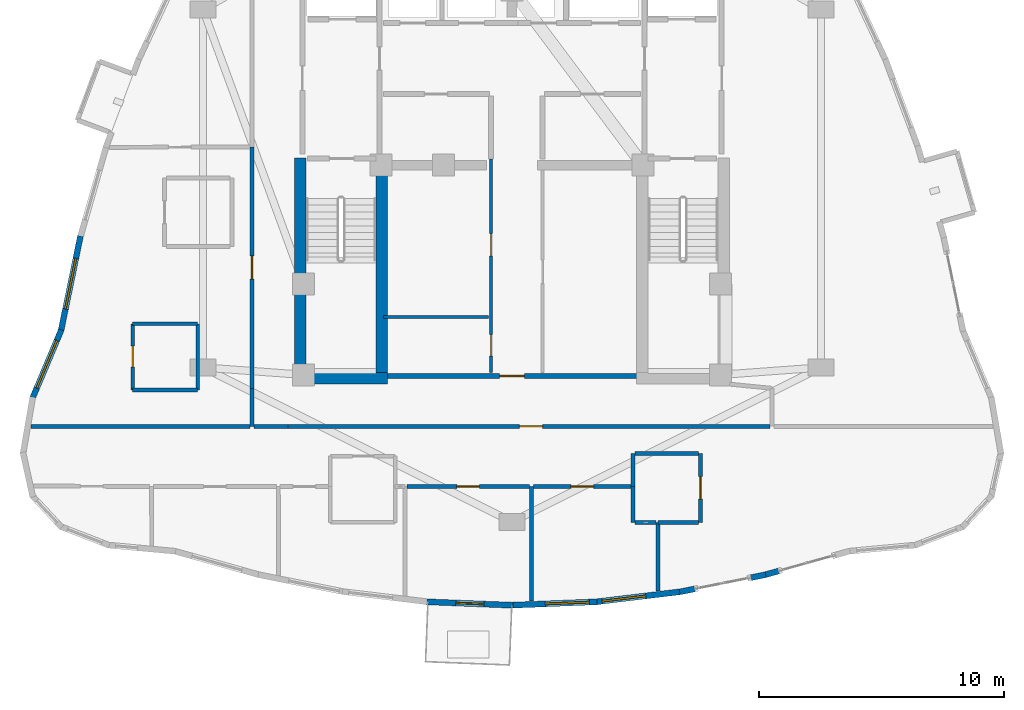
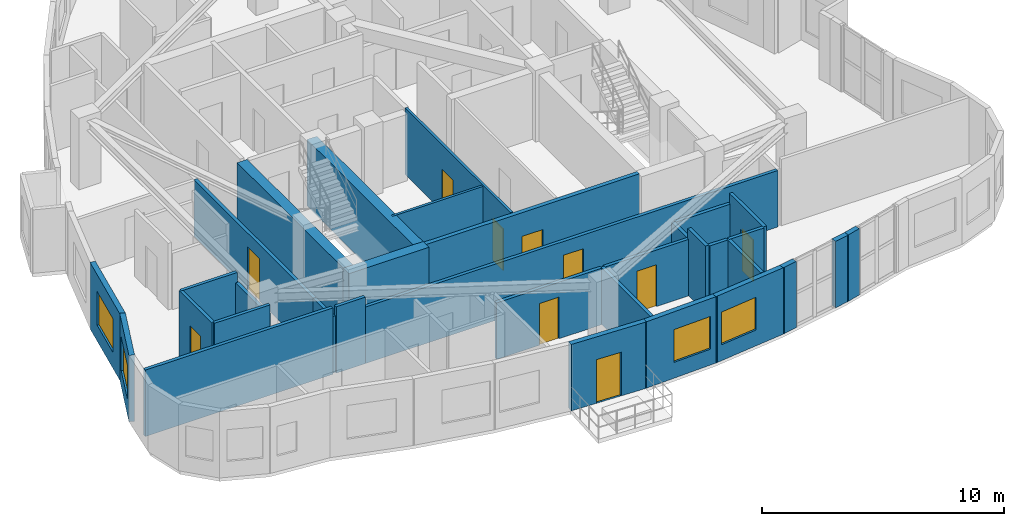
# One storey, part 10 of 15: 33 walls, 10 doors, 4 windows, 14 openings.
"""IFC4 building model written with IfcOpenShell, lengths in metres."""

from ifc_helpers import new_model, si_unit, direction, frame, frame_2d, origin, place, context, subcontext, project, spatial, rectangle, extrude, material, layer, layer_set, type_object, element, fill, save


model = new_model("IFC4")

# Units and contexts
model_context = context("Model", 3, precision=1e-05, world=origin(), true_north=direction((0.0, 1.0)))
body_context = subcontext(model_context, "Body", "Model", "MODEL_VIEW")
ifc_project = project(units=[si_unit("LENGTHUNIT", "METRE"), si_unit("AREAUNIT", "SQUARE_METRE"), si_unit("VOLUMEUNIT", "CUBIC_METRE"), si_unit("PLANEANGLEUNIT", "RADIAN"), si_unit("MASSUNIT", "GRAM", prefix="KILO")], contexts=[model_context])

# Site, building, storey
site_placement = place(None, origin())
site = spatial("IfcSite", under=ifc_project, at=site_placement, CompositionType="ELEMENT")
building_placement = place(site_placement, origin())
building = spatial("IfcBuilding", under=site, at=building_placement, Name="Miruveldt Soraemaru", CompositionType="ELEMENT")
storey_placement = place(building_placement, frame((0.0, 0.0, 234.0)))
storey = spatial("IfcBuildingStorey", under=building, at=storey_placement, Name="L64", CompositionType="ELEMENT", Elevation=234.0)

# Walls
ifc_material_1 = material(Name="Concrete C60/75 (60 MPa)", Category="concrete")
ifc_layer_1 = layer(ifc_material_1, 0.47998046875, Name="Concrete C60/75 (60 MPa)", Category="concrete")
ifc_layer_set_1 = layer_set([ifc_layer_1], Name="Concrete C60/75 (60 MPa)")
wall_type_1 = type_object("IfcWallType", Name="WALL-CW-480", PredefinedType="SHEAR", material=ifc_layer_set_1)
wall_1_placement = place(storey_placement, frame((35.1201171875, 35.360107421875, 0.0), z_axis=(0.0, 0.0, 1.0), x_axis=(1.0, 0.0, 0.0)))
element("IfcWall", 1, at=wall_1_placement, inside=storey, type_object=wall_type_1, Name="L64 Central Core Shear Wall S1", PredefinedType="SHEAR", context=body_context, shape_type="SweptSolid", body=[
    extrude(rectangle(XDim=3.809814453125, YDim=0.47998046875, at=frame_2d((1.90478515625, 0.0))), origin(), (0.0, 0.0, 1.0), 3.344970703125),
])
wall_2_placement = place(storey_placement, frame((35.360107421875, 35.1201171875, 0.0), z_axis=(0.0, 0.0, 1.0), x_axis=(0.0, 1.0, 0.0)))
element("IfcWall", 2, at=wall_2_placement, inside=storey, type_object=wall_type_1, Name="L64 Central Core Shear Wall W1", PredefinedType="SHEAR", context=body_context, shape_type="SweptSolid", body=[
    extrude(rectangle(XDim=9.22998046875, YDim=0.47998046875, at=frame_2d((4.614990234375, 0.0))), origin(), (0.0, 0.0, 1.0), 3.344970703125),
])
wall_3_placement = place(storey_placement, frame((38.68994140625, 35.39990234375, 0.0), z_axis=(0.0, 0.0, 1.0), x_axis=(0.0, 1.0, 0.0)))
element("IfcWall", 3, at=wall_3_placement, inside=storey, type_object=wall_type_1, Name="L64 Central Core Shear Wall SW-INT", PredefinedType="SHEAR", context=body_context, shape_type="SweptSolid", body=[
    extrude(rectangle(XDim=8.9501953125, YDim=0.47998046875, at=frame_2d((4.47509765625, 0.0))), origin(), (0.0, 0.0, 1.0), 3.344970703125),
])

# Wall, opening, window
ifc_material_2 = material(Name="Precast concrete C45/55 (45 MPa)", Category="concrete")
ifc_layer_2 = layer(ifc_material_2, 0.239990234375, Name="Precast concrete C45/55 (45 MPa)", Category="concrete")
ifc_layer_set_2 = layer_set([ifc_layer_2], Name="Precast concrete C45/55 (45 MPa)")
wall_type_2 = type_object("IfcWallType", Name="WALL-EXT-PC240", PredefinedType="SOLIDWALL", material=ifc_layer_set_2)
wall_4_placement = place(storey_placement, frame((26.39794921875, 41.1591796875, 0.0), z_axis=(0.0, 0.0, 1.0), x_axis=(-0.201593868006, -0.979469199302, 0.0)))
wall_4 = element("IfcWall", 4, at=wall_4_placement, inside=storey, type_object=wall_type_2, Name="L64 Precast Concrete Facade Wall 14", PredefinedType="SOLIDWALL", context=body_context, shape_type="SweptSolid", body=[
    extrude(rectangle(XDim=3.96630859375, YDim=0.239990234375, at=frame_2d((1.983154296875, 0.0))), origin(), (0.0, 0.0, 1.0), 3.344970703125),
])
opening_1_placement = place(wall_4_placement, frame((0.93310546875, 0.0, 0.800048828125)))
opening_1 = element("IfcOpeningElement", 5, at=opening_1_placement, cuts=wall_4, Name="Opening WN-1", PredefinedType="OPENING", context=body_context, shape_type="SweptSolid", body=[
    extrude(rectangle(XDim=2.10009765625, YDim=1.699951171875, at=frame_2d((1.050048828125, 0.85009765625))), frame((0.0, 0.1298828125, 0.0), z_axis=(0.0, -1.0, 0.0), x_axis=(1.0, 0.0, 0.0)), (0.0, 0.0, 1.0), 0.260009765625),
])
ifc_material_3 = material(Name="Triple low-e insulated glazing", Category="glass")
window_type_1 = type_object("IfcWindowType", Name="WIN-PUNCH-2100x1700", PartitioningType="SINGLE_PANEL", PredefinedType="WINDOW", material=ifc_material_3)
window_1_placement = place(opening_1_placement, origin())
window_1 = element("IfcWindow", 6, at=window_1_placement, inside=storey, type_object=window_type_1, Name="L64 Punched Triple-Glazed Window 14.1", OverallHeight=1.699951171875, OverallWidth=2.10009765625, PartitioningType="SINGLE_PANEL", PredefinedType="WINDOW", context=body_context, shape_type="SweptSolid", body=[
    extrude(rectangle(XDim=2.10009765625, YDim=1.699951171875, at=frame_2d((1.050048828125, 0.85009765625))), frame((0.0, 0.030029296875, 0.0), z_axis=(0.0, -1.0, 0.0), x_axis=(1.0, 0.0, 0.0)), (0.0, 0.0, 1.0), 0.06005859375),
])
fill(opening_1, window_1)

wall_5_placement = place(storey_placement, frame((25.619140625, 37.3408203125, 0.0), z_axis=(0.0, 0.0, 1.0), x_axis=(-0.388639047132, -0.921390086253, 0.0)))
wall_5 = element("IfcWall", 7, at=wall_5_placement, inside=storey, type_object=wall_type_2, Name="L64 Precast Concrete Facade Wall 15", PredefinedType="SOLIDWALL", context=body_context, shape_type="SweptSolid", body=[
    extrude(rectangle(XDim=3.05615234375, YDim=0.239990234375, at=frame_2d((1.528076171875, 0.0))), origin(), (0.0, 0.0, 1.0), 3.344970703125),
])
opening_2_placement = place(wall_5_placement, frame((0.47802734375, 0.0, 0.800048828125)))
opening_2 = element("IfcOpeningElement", 8, at=opening_2_placement, cuts=wall_5, Name="Opening WN-1", PredefinedType="OPENING", context=body_context, shape_type="SweptSolid", body=[
    extrude(rectangle(XDim=2.10009765625, YDim=1.699951171875, at=frame_2d((1.050048828125, 0.85009765625))), frame((0.0, 0.1298828125, 0.0), z_axis=(0.0, -1.0, 0.0), x_axis=(1.0, 0.0, 0.0)), (0.0, 0.0, 1.0), 0.260009765625),
])
window_2_placement = place(opening_2_placement, origin())
window_2 = element("IfcWindow", 9, at=window_2_placement, inside=storey, type_object=window_type_1, Name="L64 Punched Triple-Glazed Window 15.1", OverallHeight=1.699951171875, OverallWidth=2.10009765625, PartitioningType="SINGLE_PANEL", PredefinedType="WINDOW", context=body_context, shape_type="SweptSolid", body=[
    extrude(rectangle(XDim=2.10009765625, YDim=1.699951171875, at=frame_2d((1.050048828125, 0.85009765625))), frame((0.0, 0.030029296875, 0.0), z_axis=(0.0, -1.0, 0.0), x_axis=(1.0, 0.0, 0.0)), (0.0, 0.0, 1.0), 0.06005859375),
])
fill(opening_2, window_2)

# Wall, opening, door
wall_6_placement = place(storey_placement, frame((40.52685546875, 26.242431640625, 0.0), z_axis=(0.0, 0.0, 1.0), x_axis=(0.999203067931, -0.039915273227, 0.0)))
wall_6 = element("IfcWall", 10, at=wall_6_placement, inside=storey, type_object=wall_type_2, Name="L64 Precast Concrete Facade Wall 24", PredefinedType="SOLIDWALL", context=body_context, shape_type="SweptSolid", body=[
    extrude(rectangle(XDim=3.5107421875, YDim=0.239990234375, at=frame_2d((1.75537109375, 0.0))), origin(), (0.0, 0.0, 1.0), 3.344970703125),
])
opening_3_placement = place(wall_6_placement, frame((1.180908203125, 0.0, 0.0)))
opening_3 = element("IfcOpeningElement", 11, at=opening_3_placement, cuts=wall_6, Name="Opening TD-2", PredefinedType="OPENING", context=body_context, shape_type="SweptSolid", body=[
    extrude(rectangle(XDim=1.14990234375, YDim=2.199951171875, at=frame_2d((0.574951171875, 1.10009765625))), frame((0.0, 0.1298828125, 0.0), z_axis=(0.0, -1.0, 0.0), x_axis=(1.0, 0.0, 0.0)), (0.0, 0.0, 1.0), 0.260009765625),
])
ifc_material_4 = material(Name="Anodised aluminium EN AW-6063 T6", Category="aluminium")
door_type_1 = type_object("IfcDoorType", Name="DOOR-SG-1150", OperationType="NOTDEFINED", PredefinedType="DOOR", material=ifc_material_4)
door_1_placement = place(opening_3_placement, frame((1.14990234375, 0.0, 0.0), z_axis=(0.0, 0.0, 1.0), x_axis=(-1.0, 0.0, 0.0)))
door_1 = element("IfcDoor", 12, at=door_1_placement, inside=storey, type_object=door_type_1, Name="L64 Terrace Access Glazed Door 24", OperationType="SINGLE_SWING_RIGHT", OverallHeight=2.199951171875, OverallWidth=1.14990234375, PredefinedType="DOOR", context=body_context, shape_type="SweptSolid", body=[
    extrude(rectangle(XDim=1.14990234375, YDim=2.199951171875, at=frame_2d((0.574951171875, 1.10009765625))), frame((0.0, 0.02490234375, 0.0), z_axis=(0.0, -1.0, 0.0), x_axis=(1.0, 0.0, 0.0)), (0.0, 0.0, 1.0), 0.050048828125),
])
fill(opening_3, door_1)

# Wall, opening, window
wall_7_placement = place(storey_placement, frame((43.965087890625, 26.102294921875, 0.0), z_axis=(0.0, 0.0, 1.0), x_axis=(0.999203067931, 0.039915273227, 0.0)))
wall_7 = element("IfcWall", 13, at=wall_7_placement, inside=storey, type_object=wall_type_2, Name="L64 Precast Concrete Facade Wall 25", PredefinedType="SOLIDWALL", context=body_context, shape_type="SweptSolid", body=[
    extrude(rectangle(XDim=3.5107421875, YDim=0.239990234375, at=frame_2d((1.75537109375, 0.0))), origin(), (0.0, 0.0, 1.0), 3.344970703125),
])
opening_4_placement = place(wall_7_placement, frame((1.39208984375, 0.0, 0.800048828125)))
opening_4 = element("IfcOpeningElement", 14, at=opening_4_placement, cuts=wall_7, Name="Opening WN-2", PredefinedType="OPENING", context=body_context, shape_type="SweptSolid", body=[
    extrude(rectangle(XDim=1.800048828125, YDim=1.64990234375, at=frame_2d((0.89990234375, 0.824951171875))), frame((0.0, 0.1298828125, 0.0), z_axis=(0.0, -1.0, 0.0), x_axis=(1.0, 0.0, 0.0)), (0.0, 0.0, 1.0), 0.260009765625),
])
window_type_2 = type_object("IfcWindowType", Name="WIN-PUNCH-1800x1650", PartitioningType="SINGLE_PANEL", PredefinedType="WINDOW", material=ifc_material_3)
window_3_placement = place(opening_4_placement, origin())
window_3 = element("IfcWindow", 15, at=window_3_placement, inside=storey, type_object=window_type_2, Name="L64 Punched Triple-Glazed Window 25.1", OverallHeight=1.64990234375, OverallWidth=1.800048828125, PartitioningType="SINGLE_PANEL", PredefinedType="WINDOW", context=body_context, shape_type="SweptSolid", body=[
    extrude(rectangle(XDim=1.800048828125, YDim=1.64990234375, at=frame_2d((0.89990234375, 0.824951171875))), frame((0.0, 0.030029296875, 0.0), z_axis=(0.0, -1.0, 0.0), x_axis=(1.0, 0.0, 0.0)), (0.0, 0.0, 1.0), 0.06005859375),
])
fill(opening_4, window_3)

wall_8_placement = place(storey_placement, frame((47.4033203125, 26.23681640625, 0.0), z_axis=(0.0, 0.0, 1.0), x_axis=(0.992869970149, 0.119202442825, 0.0)))
wall_8 = element("IfcWall", 16, at=wall_8_placement, inside=storey, type_object=wall_type_2, Name="L64 Precast Concrete Facade Wall 26", PredefinedType="SOLIDWALL", context=body_context, shape_type="SweptSolid", body=[
    extrude(rectangle(XDim=3.532958984375, YDim=0.239990234375, at=frame_2d((1.7666015625, 0.0))), origin(), (0.0, 0.0, 1.0), 3.344970703125),
])
opening_5_placement = place(wall_8_placement, frame((0.27099609375, 0.0, 0.800048828125)))
opening_5 = element("IfcOpeningElement", 17, at=opening_5_placement, cuts=wall_8, Name="Opening WN-2", PredefinedType="OPENING", context=body_context, shape_type="SweptSolid", body=[
    extrude(rectangle(XDim=1.800048828125, YDim=1.64990234375, at=frame_2d((0.89990234375, 0.824951171875))), frame((0.0, 0.1298828125, 0.0), z_axis=(0.0, -1.0, 0.0), x_axis=(1.0, 0.0, 0.0)), (0.0, 0.0, 1.0), 0.260009765625),
])
window_4_placement = place(opening_5_placement, origin())
window_4 = element("IfcWindow", 18, at=window_4_placement, inside=storey, type_object=window_type_2, Name="L64 Punched Triple-Glazed Window 26.1", OverallHeight=1.64990234375, OverallWidth=1.800048828125, PartitioningType="SINGLE_PANEL", PredefinedType="WINDOW", context=body_context, shape_type="SweptSolid", body=[
    extrude(rectangle(XDim=1.800048828125, YDim=1.64990234375, at=frame_2d((0.89990234375, 0.824951171875))), frame((0.0, 0.030029296875, 0.0), z_axis=(0.0, -1.0, 0.0), x_axis=(1.0, 0.0, 0.0)), (0.0, 0.0, 1.0), 0.06005859375),
])
fill(opening_5, window_4)

# Walls
wall_9_placement = place(storey_placement, frame((50.842041015625, 26.646728515625, 0.0), z_axis=(0.0, 0.0, 1.0), x_axis=(0.98052735431, 0.19638255383, 0.0)))
element("IfcWall", 19, at=wall_9_placement, inside=storey, type_object=wall_type_2, Name="L64 Precast Pier Left 27", PredefinedType="SOLIDWALL", context=body_context, shape_type="SweptSolid", body=[
    extrude(rectangle(XDim=0.704833984375, YDim=0.239990234375, at=frame_2d((0.3525390625, 0.0))), origin(), (0.0, 0.0, 1.0), 3.344970703125),
])
wall_10_placement = place(storey_placement, frame((53.6572265625, 27.2099609375, 0.0), z_axis=(0.0, 0.0, 1.0), x_axis=(0.980620594831, 0.195916433701, 0.0)))
element("IfcWall", 20, at=wall_10_placement, inside=storey, type_object=wall_type_2, Name="L64 Precast Pier Right 27", PredefinedType="SOLIDWALL", context=body_context, shape_type="SweptSolid", body=[
    extrude(rectangle(XDim=0.705322265625, YDim=0.239990234375, at=frame_2d((0.3525390625, 0.0))), origin(), (0.0, 0.0, 1.0), 3.344970703125),
])
wall_11_placement = place(storey_placement, frame((54.28076171875, 27.331787109375, 0.0), z_axis=(0.0, 0.0, 1.0), x_axis=(0.962935245269, 0.269732670286, 0.0)))
element("IfcWall", 21, at=wall_11_placement, inside=storey, type_object=wall_type_2, Name="L64 Precast Pier Left 28", PredefinedType="SOLIDWALL", context=body_context, shape_type="SweptSolid", body=[
    extrude(rectangle(XDim=0.705078125, YDim=0.239990234375, at=frame_2d((0.3525390625, 0.0))), origin(), (0.0, 0.0, 1.0), 3.344970703125),
])

# Wall, openings, doors
ifc_material_5 = material(Name="Gypsum plasterboard lining", Category="gypsum")
ifc_layer_3 = layer(ifc_material_5, 0.1201171875, Name="Gypsum plasterboard lining", Category="gypsum")
ifc_layer_set_3 = layer_set([ifc_layer_3], Name="Gypsum plasterboard lining")
wall_type_3 = type_object("IfcWallType", Name="WALL-INT-P120", PredefinedType="PARTITIONING", material=ifc_layer_set_3)
wall_12_placement = place(storey_placement, frame((43.14990234375, 35.60009765625, 0.0), z_axis=(0.0, 0.0, 1.0), x_axis=(0.0, 1.0, 0.0)))
wall_12 = element("IfcWall", 22, at=wall_12_placement, inside=storey, type_object=wall_type_3, Name="L64 Core Compartment Wall SP-WL", PredefinedType="PARTITIONING", context=body_context, shape_type="SweptSolid", body=[
    extrude(rectangle(XDim=8.699951171875, YDim=0.1201171875, at=frame_2d((4.35009765625, 0.0))), origin(), (0.0, 0.0, 1.0), 3.344970703125),
])
opening_6_placement = place(wall_12_placement, frame((0.659912109375, 0.0, 0.0)))
opening_6 = element("IfcOpeningElement", 23, at=opening_6_placement, cuts=wall_12, Name="Opening D4", PredefinedType="OPENING", context=body_context, shape_type="SweptSolid", body=[
    extrude(rectangle(XDim=0.8798828125, YDim=2.10009765625, at=frame_2d((0.43994140625, 1.050048828125))), frame((0.0, 0.070068359375, 0.0), z_axis=(0.0, -1.0, 0.0), x_axis=(1.0, 0.0, 0.0)), (0.0, 0.0, 1.0), 0.14013671875),
])
opening_7_placement = place(wall_12_placement, frame((4.739990234375, 0.0, 0.0)))
opening_7 = element("IfcOpeningElement", 24, at=opening_7_placement, cuts=wall_12, Name="Opening D3A", PredefinedType="OPENING", context=body_context, shape_type="SweptSolid", body=[
    extrude(rectangle(XDim=0.919921875, YDim=2.10009765625, at=frame_2d((0.4599609375, 1.050048828125))), frame((0.0, 0.070068359375, 0.0), z_axis=(0.0, -1.0, 0.0), x_axis=(1.0, 0.0, 0.0)), (0.0, 0.0, 1.0), 0.14013671875),
])
door_type_2 = type_object("IfcDoorType", Name="DOOR-INT-880", OperationType="NOTDEFINED", PredefinedType="DOOR", material=ifc_material_4)
door_2_placement = place(opening_6_placement, origin())
door_2 = element("IfcDoor", 25, at=door_2_placement, inside=storey, type_object=door_type_2, Name="L64 Fire Door", OperationType="SINGLE_SWING_LEFT", OverallHeight=2.10009765625, OverallWidth=0.8798828125, PredefinedType="DOOR", context=body_context, shape_type="SweptSolid", body=[
    extrude(rectangle(XDim=0.8798828125, YDim=2.10009765625, at=frame_2d((0.43994140625, 1.050048828125))), frame((0.0, 0.02490234375, 0.0), z_axis=(0.0, -1.0, 0.0), x_axis=(1.0, 0.0, 0.0)), (0.0, 0.0, 1.0), 0.050048828125),
])
fill(opening_6, door_2)
door_type_3 = type_object("IfcDoorType", Name="DOOR-INT-920", OperationType="NOTDEFINED", PredefinedType="DOOR", material=ifc_material_4)
door_3_placement = place(opening_7_placement, origin())
door_3 = element("IfcDoor", 26, at=door_3_placement, inside=storey, type_object=door_type_3, Name="L64 Fire Door", OperationType="SINGLE_SWING_LEFT", OverallHeight=2.10009765625, OverallWidth=0.919921875, PredefinedType="DOOR", context=body_context, shape_type="SweptSolid", body=[
    extrude(rectangle(XDim=0.919921875, YDim=2.10009765625, at=frame_2d((0.4599609375, 1.050048828125))), frame((0.0, 0.02490234375, 0.0), z_axis=(0.0, -1.0, 0.0), x_axis=(1.0, 0.0, 0.0)), (0.0, 0.0, 1.0), 0.050048828125),
])
fill(opening_7, door_3)

# Wall
wall_13_placement = place(storey_placement, frame((38.75, 37.85009765625, 0.0), z_axis=(0.0, 0.0, 1.0), x_axis=(1.0, 0.0, 0.0)))
element("IfcWall", 27, at=wall_13_placement, inside=storey, type_object=wall_type_3, Name="L64 Core Compartment Wall RL-W1H", PredefinedType="PARTITIONING", context=body_context, shape_type="SweptSolid", body=[
    extrude(rectangle(XDim=4.300048828125, YDim=0.1201171875, at=frame_2d((2.14990234375, 0.0))), origin(), (0.0, 0.0, 1.0), 3.344970703125),
])

# Wall, opening, door
ifc_layer_4 = layer(ifc_material_5, 0.14990234375, Name="Gypsum plasterboard lining", Category="gypsum")
ifc_layer_set_4 = layer_set([ifc_layer_4], Name="Gypsum plasterboard lining")
wall_type_4 = type_object("IfcWallType", Name="WALL-INT-PLUMB", PredefinedType="PLUMBINGWALL", material=ifc_layer_set_4)
wall_14_placement = place(storey_placement, frame((28.529052734375, 37.580078125, 0.0), z_axis=(0.0, 0.0, 1.0), x_axis=(0.0, -1.0, 0.0)))
wall_14 = element("IfcWall", 28, at=wall_14_placement, inside=storey, type_object=wall_type_4, Name="L64 Partition Wall 46", PredefinedType="PLUMBINGWALL", context=body_context, shape_type="SweptSolid", body=[
    extrude(rectangle(XDim=2.7001953125, YDim=0.14990234375, at=frame_2d((1.35009765625, 0.0))), origin(), (0.0, 0.0, 1.0), 3.344970703125),
])
opening_8_placement = place(wall_14_placement, frame((0.909912109375, 0.0, 0.0)))
opening_8 = element("IfcOpeningElement", 29, at=opening_8_placement, cuts=wall_14, Name="Opening FD3", PredefinedType="OPENING", context=body_context, shape_type="SweptSolid", body=[
    extrude(rectangle(XDim=0.85009765625, YDim=2.10009765625, at=frame_2d((0.425048828125, 1.050048828125))), frame((0.0, 0.0849609375, 0.0), z_axis=(0.0, -1.0, 0.0), x_axis=(1.0, 0.0, 0.0)), (0.0, 0.0, 1.0), 0.169921875),
])
door_type_4 = type_object("IfcDoorType", Name="DOOR-FD3-850", OperationType="NOTDEFINED", PredefinedType="DOOR", material=ifc_material_4)
door_4_placement = place(opening_8_placement, origin())
door_4 = element("IfcDoor", 30, at=door_4_placement, inside=storey, type_object=door_type_4, Name="L64 Unit 6403 BTH Door", OperationType="SINGLE_SWING_RIGHT", OverallHeight=2.10009765625, OverallWidth=0.85009765625, PredefinedType="DOOR", context=body_context, shape_type="SweptSolid", body=[
    extrude(rectangle(XDim=0.85009765625, YDim=2.10009765625, at=frame_2d((0.425048828125, 1.050048828125))), frame((0.0, 0.02490234375, 0.0), z_axis=(0.0, -1.0, 0.0), x_axis=(1.0, 0.0, 0.0)), (0.0, 0.0, 1.0), 0.050048828125),
])
fill(opening_8, door_4)

# Walls
wall_15_placement = place(storey_placement, frame((31.178955078125, 34.8798828125, 0.0), z_axis=(0.0, 0.0, 1.0), x_axis=(0.0, 1.0, 0.0)))
element("IfcWall", 31, at=wall_15_placement, inside=storey, type_object=wall_type_4, Name="L64 Partition Wall 44", PredefinedType="PLUMBINGWALL", context=body_context, shape_type="SweptSolid", body=[
    extrude(rectangle(XDim=2.7001953125, YDim=0.14990234375, at=frame_2d((1.35009765625, 0.0))), origin(), (0.0, 0.0, 1.0), 2.844970703125),
])
for number, where, z_axis, x_axis, name in (
    (32, (31.178955078125, 37.580078125, 0.0), (0.0, 0.0, 1.0), (-1.0, 0.0, 0.0), "L64 Partition Wall 45"),
    (33, (28.529052734375, 34.8798828125, 0.0), (0.0, 0.0, 1.0), (1.0, 0.0, 0.0), "L64 Partition Wall 47"),
):
    element("IfcWall", number, at=place(storey_placement, frame(where, z_axis=z_axis, x_axis=x_axis)), inside=storey, type_object=wall_type_4, Name=name, PredefinedType="PLUMBINGWALL", context=body_context, shape_type="SweptSolid", body=[
        extrude(rectangle(XDim=2.64990234375, YDim=0.14990234375, at=frame_2d((1.324951171875, 0.0))), origin(), (0.0, 0.0, 1.0), 3.344970703125),
    ])

# Wall, opening, door
ifc_material_6 = material(Name="Concrete C40/50 (40 MPa)", Category="concrete")
ifc_layer_5 = layer(ifc_material_6, 0.159912109375, Name="Concrete C40/50 (40 MPa)", Category="concrete")
ifc_layer_set_5 = layer_set([ifc_layer_5], Name="Concrete C40/50 (40 MPa)")
wall_type_5 = type_object("IfcWallType", Name="WALL-INT-RC160", PredefinedType="SOLIDWALL", material=ifc_layer_set_5)
wall_16_placement = place(storey_placement, frame((34.8701171875, 33.39990234375, 0.0), z_axis=(0.0, 0.0, 1.0), x_axis=(1.0, 0.0, 0.0)))
wall_16 = element("IfcWall", 34, at=wall_16_placement, inside=storey, type_object=wall_type_5, Name="L64 Partition Wall 2", PredefinedType="SOLIDWALL", context=body_context, shape_type="SweptSolid", body=[
    extrude(rectangle(XDim=19.64990234375, YDim=0.159912109375, at=frame_2d((9.824951171875, 0.0))), origin(), (0.0, 0.0, 1.0), 2.844970703125),
])
opening_9_placement = place(wall_16_placement, frame((9.429931640625, 0.0, 0.0)))
opening_9 = element("IfcOpeningElement", 35, at=opening_9_placement, cuts=wall_16, Name="Opening FD2", PredefinedType="OPENING", context=body_context, shape_type="SweptSolid", body=[
    extrude(rectangle(XDim=0.949951171875, YDim=2.14990234375, at=frame_2d((0.47509765625, 1.074951171875))), frame((0.0, 0.08984375, 0.0), z_axis=(0.0, -1.0, 0.0), x_axis=(1.0, 0.0, 0.0)), (0.0, 0.0, 1.0), 0.179931640625),
])
door_type_5 = type_object("IfcDoorType", Name="DOOR-FD2-950", OperationType="NOTDEFINED", PredefinedType="DOOR", material=ifc_material_4)
door_5_placement = place(opening_9_placement, origin())
door_5 = element("IfcDoor", 36, at=door_5_placement, inside=storey, type_object=door_type_5, Name="L64 Unit 6401 Entrance Fire Door", OperationType="SINGLE_SWING_RIGHT", OverallHeight=2.14990234375, OverallWidth=0.949951171875, PredefinedType="DOOR", context=body_context, shape_type="SweptSolid", body=[
    extrude(rectangle(XDim=0.949951171875, YDim=2.14990234375, at=frame_2d((0.47509765625, 1.074951171875))), frame((0.0, 0.02490234375, 0.0), z_axis=(0.0, -1.0, 0.0), x_axis=(1.0, 0.0, 0.0)), (0.0, 0.0, 1.0), 0.050048828125),
])
fill(opening_9, door_5)

wall_17_placement = place(storey_placement, frame((33.39990234375, 44.797119140625, 0.0), z_axis=(0.0, 0.0, 1.0), x_axis=(0.0, -1.0, 0.0)))
wall_17 = element("IfcWall", 37, at=wall_17_placement, inside=storey, type_object=wall_type_5, Name="L64 Partition Wall 8", PredefinedType="SOLIDWALL", context=body_context, shape_type="SweptSolid", body=[
    extrude(rectangle(XDim=9.84716796875, YDim=0.159912109375, at=frame_2d((4.923583984375, 0.0))), origin(), (0.0, 0.0, 1.0), 2.844970703125),
])
opening_10_placement = place(wall_17_placement, frame((4.447998046875, 0.0, 0.0)))
opening_10 = element("IfcOpeningElement", 38, at=opening_10_placement, cuts=wall_17, Name="Opening FD2", PredefinedType="OPENING", context=body_context, shape_type="SweptSolid", body=[
    extrude(rectangle(XDim=0.949951171875, YDim=2.14990234375, at=frame_2d((0.47509765625, 1.074951171875))), frame((0.0, 0.08984375, 0.0), z_axis=(0.0, -1.0, 0.0), x_axis=(1.0, 0.0, 0.0)), (0.0, 0.0, 1.0), 0.179931640625),
])
door_6_placement = place(opening_10_placement, origin())
door_6 = element("IfcDoor", 39, at=door_6_placement, inside=storey, type_object=door_type_5, Name="L64 Unit 6403 Entrance Fire Door", OperationType="SINGLE_SWING_LEFT", OverallHeight=2.14990234375, OverallWidth=0.949951171875, PredefinedType="DOOR", context=body_context, shape_type="SweptSolid", body=[
    extrude(rectangle(XDim=0.949951171875, YDim=2.14990234375, at=frame_2d((0.47509765625, 1.074951171875))), frame((0.0, 0.02490234375, 0.0), z_axis=(0.0, -1.0, 0.0), x_axis=(1.0, 0.0, 0.0)), (0.0, 0.0, 1.0), 0.050048828125),
])
fill(opening_10, door_6)

wall_18_placement = place(storey_placement, frame((39.7109375, 30.949951171875, 0.0), z_axis=(0.0, 0.0, 1.0), x_axis=(1.0, 0.0, 0.0)))
wall_18 = element("IfcWall", 40, at=wall_18_placement, inside=storey, type_object=wall_type_5, Name="L64 Partition Wall 21", PredefinedType="SOLIDWALL", context=body_context, shape_type="SweptSolid", body=[
    extrude(rectangle(XDim=5.003173828125, YDim=0.159912109375, at=frame_2d((2.50146484375, 0.0))), origin(), (0.0, 0.0, 1.0), 2.844970703125),
])
opening_11_placement = place(wall_18_placement, frame((2.0419921875, 0.0, 0.0)))
opening_11 = element("IfcOpeningElement", 41, at=opening_11_placement, cuts=wall_18, Name="Opening D3A", PredefinedType="OPENING", context=body_context, shape_type="SweptSolid", body=[
    extrude(rectangle(XDim=0.919921875, YDim=2.10009765625, at=frame_2d((0.4599609375, 1.050048828125))), frame((0.0, 0.08984375, 0.0), z_axis=(0.0, -1.0, 0.0), x_axis=(1.0, 0.0, 0.0)), (0.0, 0.0, 1.0), 0.179931640625),
])
door_7_placement = place(opening_11_placement, origin())
door_7 = element("IfcDoor", 42, at=door_7_placement, inside=storey, type_object=door_type_3, Name="L64 Unit 6401 BD4 Door", OperationType="SINGLE_SWING_RIGHT", OverallHeight=2.10009765625, OverallWidth=0.919921875, PredefinedType="DOOR", context=body_context, shape_type="SweptSolid", body=[
    extrude(rectangle(XDim=0.919921875, YDim=2.10009765625, at=frame_2d((0.4599609375, 1.050048828125))), frame((0.0, 0.02490234375, 0.0), z_axis=(0.0, -1.0, 0.0), x_axis=(1.0, 0.0, 0.0)), (0.0, 0.0, 1.0), 0.050048828125),
])
fill(opening_11, door_7)

wall_19_placement = place(storey_placement, frame((44.8740234375, 30.949951171875, 0.0), z_axis=(0.0, 0.0, 1.0), x_axis=(1.0, 0.0, 0.0)))
wall_19 = element("IfcWall", 43, at=wall_19_placement, inside=storey, type_object=wall_type_5, Name="L64 Partition Wall 22", PredefinedType="SOLIDWALL", context=body_context, shape_type="SweptSolid", body=[
    extrude(rectangle(XDim=3.98388671875, YDim=0.159912109375, at=frame_2d((1.991943359375, 0.0))), origin(), (0.0, 0.0, 1.0), 2.844970703125),
])
opening_12_placement = place(wall_19_placement, frame((1.531982421875, 0.0, 0.0)))
opening_12 = element("IfcOpeningElement", 44, at=opening_12_placement, cuts=wall_19, Name="Opening D3A", PredefinedType="OPENING", context=body_context, shape_type="SweptSolid", body=[
    extrude(rectangle(XDim=0.919921875, YDim=2.10009765625, at=frame_2d((0.4599609375, 1.050048828125))), frame((0.0, 0.08984375, 0.0), z_axis=(0.0, -1.0, 0.0), x_axis=(1.0, 0.0, 0.0)), (0.0, 0.0, 1.0), 0.179931640625),
])
door_8_placement = place(opening_12_placement, origin())
door_8 = element("IfcDoor", 45, at=door_8_placement, inside=storey, type_object=door_type_3, Name="L64 Unit 6401 EXT Door", OperationType="SINGLE_SWING_LEFT", OverallHeight=2.10009765625, OverallWidth=0.919921875, PredefinedType="DOOR", context=body_context, shape_type="SweptSolid", body=[
    extrude(rectangle(XDim=0.919921875, YDim=2.10009765625, at=frame_2d((0.4599609375, 1.050048828125))), frame((0.0, 0.02490234375, 0.0), z_axis=(0.0, -1.0, 0.0), x_axis=(1.0, 0.0, 0.0)), (0.0, 0.0, 1.0), 0.050048828125),
])
fill(opening_12, door_8)

wall_20_placement = place(storey_placement, frame((51.68798828125, 29.486083984375, 0.0), z_axis=(0.0, 0.0, 1.0), x_axis=(0.0, 1.0, 0.0)))
wall_20 = element("IfcWall", 46, at=wall_20_placement, inside=storey, type_object=wall_type_5, Name="L64 Partition Wall 14", PredefinedType="SOLIDWALL", context=body_context, shape_type="SweptSolid", body=[
    extrude(rectangle(XDim=2.7998046875, YDim=0.159912109375, at=frame_2d((1.39990234375, 0.0))), origin(), (0.0, 0.0, 1.0), 3.344970703125),
])
opening_13_placement = place(wall_20_placement, frame((0.93994140625, 0.0, 0.0)))
opening_13 = element("IfcOpeningElement", 47, at=opening_13_placement, cuts=wall_20, Name="Opening D3A", PredefinedType="OPENING", context=body_context, shape_type="SweptSolid", body=[
    extrude(rectangle(XDim=0.919921875, YDim=2.10009765625, at=frame_2d((0.4599609375, 1.050048828125))), frame((0.0, 0.08984375, 0.0), z_axis=(0.0, -1.0, 0.0), x_axis=(1.0, 0.0, 0.0)), (0.0, 0.0, 1.0), 0.179931640625),
])
door_9_placement = place(opening_13_placement, origin())
door_9 = element("IfcDoor", 48, at=door_9_placement, inside=storey, type_object=door_type_3, Name="L64 Unit 6401 KIT Door", OperationType="SINGLE_SWING_RIGHT", OverallHeight=2.10009765625, OverallWidth=0.919921875, PredefinedType="DOOR", context=body_context, shape_type="SweptSolid", body=[
    extrude(rectangle(XDim=0.919921875, YDim=2.10009765625, at=frame_2d((0.4599609375, 1.050048828125))), frame((0.0, 0.02490234375, 0.0), z_axis=(0.0, -1.0, 0.0), x_axis=(1.0, 0.0, 0.0)), (0.0, 0.0, 1.0), 0.050048828125),
])
fill(opening_13, door_9)

# Walls
wall_21_placement = place(storey_placement, frame((33.320068359375, 33.39990234375, 0.0), z_axis=(0.0, 0.0, 1.0), x_axis=(-0.999999516524, -0.00098333741, 0.0)))
element("IfcWall", 49, at=wall_21_placement, inside=storey, type_object=wall_type_5, Name="L64 Partition Wall 25", PredefinedType="SOLIDWALL", context=body_context, shape_type="SweptSolid", body=[
    extrude(rectangle(XDim=8.93798828125, YDim=0.159912109375, at=frame_2d((4.468994140625, 0.0))), origin(), (0.0, 0.0, 1.0), 3.344970703125),
])
wall_22_placement = place(storey_placement, frame((44.7919921875, 26.27001953125, 0.0), z_axis=(0.0, 0.0, 1.0), x_axis=(0.000417340461, 0.999999912913, 0.0)))
element("IfcWall", 50, at=wall_22_placement, inside=storey, type_object=wall_type_5, Name="L64 Partition Wall 34", PredefinedType="SOLIDWALL", context=body_context, shape_type="SweptSolid", body=[
    extrude(rectangle(XDim=4.679931640625, YDim=0.159912109375, at=frame_2d((2.33984375, 0.0))), origin(), (0.0, 0.0, 1.0), 2.844970703125),
])
wall_23_placement = place(storey_placement, frame((49.9580078125, 29.486083984375, 0.0), z_axis=(0.0, 0.0, 1.0), x_axis=(-0.002522169748, -0.999996819325, 0.0)))
element("IfcWall", 51, at=wall_23_placement, inside=storey, type_object=wall_type_5, Name="L64 Partition Wall 23", PredefinedType="SOLIDWALL", context=body_context, shape_type="SweptSolid", body=[
    extrude(rectangle(XDim=2.80712890625, YDim=0.159912109375, at=frame_2d((1.403564453125, 0.0))), origin(), (0.0, 0.0, 1.0), 3.344970703125),
])
wall_24_placement = place(storey_placement, frame((51.60791015625, 32.285888671875, 0.0), z_axis=(0.0, 0.0, 1.0), x_axis=(-1.0, 0.0, 0.0)))
element("IfcWall", 52, at=wall_24_placement, inside=storey, type_object=wall_type_5, Name="L64 Partition Wall 15", PredefinedType="SOLIDWALL", context=body_context, shape_type="SweptSolid", body=[
    extrude(rectangle(XDim=2.58984375, YDim=0.159912109375, at=frame_2d((1.294921875, 0.0))), origin(), (0.0, 0.0, 1.0), 2.844970703125),
])
wall_25_placement = place(storey_placement, frame((49.947998046875, 29.486083984375, 0.0), z_axis=(0.0, 0.0, 1.0), x_axis=(1.0, 0.0, 0.0)))
element("IfcWall", 53, at=wall_25_placement, inside=storey, type_object=wall_type_5, Name="L64 Partition Wall 17", PredefinedType="SOLIDWALL", context=body_context, shape_type="SweptSolid", body=[
    extrude(rectangle(XDim=1.659912109375, YDim=0.159912109375, at=frame_2d((0.830078125, 0.0))), origin(), (0.0, 0.0, 1.0), 3.344970703125),
])
wall_26_placement = place(storey_placement, frame((33.39990234375, 34.949951171875, 0.0), z_axis=(0.0, 0.0, 1.0), x_axis=(0.0, -1.0, 0.0)))
element("IfcWall", 54, at=wall_26_placement, inside=storey, type_object=wall_type_5, Name="L64 Partition Wall 9", PredefinedType="SOLIDWALL", context=body_context, shape_type="SweptSolid", body=[
    extrude(rectangle(XDim=1.550048828125, YDim=0.159912109375, at=frame_2d((0.77490234375, 0.0))), origin(), (0.0, 0.0, 1.0), 2.844970703125),
])
wall_27_placement = place(storey_placement, frame((48.93798828125, 30.949951171875, 0.0), z_axis=(0.0, 0.0, 1.0), x_axis=(0.0, -1.0, 0.0)))
element("IfcWall", 55, at=wall_27_placement, inside=storey, type_object=wall_type_5, Name="L64 Partition Wall 29", PredefinedType="SOLIDWALL", context=body_context, shape_type="SweptSolid", body=[
    extrude(rectangle(XDim=1.4638671875, YDim=0.159912109375, at=frame_2d((0.73193359375, 0.0))), origin(), (0.0, 0.0, 1.0), 3.344970703125),
])
wall_28_placement = place(storey_placement, frame((48.93798828125, 32.285888671875, 0.0), z_axis=(0.0, 0.0, 1.0), x_axis=(0.0, -1.0, 0.0)))
element("IfcWall", 56, at=wall_28_placement, inside=storey, type_object=wall_type_5, Name="L64 Partition Wall 16", PredefinedType="SOLIDWALL", context=body_context, shape_type="SweptSolid", body=[
    extrude(rectangle(XDim=1.3359375, YDim=0.159912109375, at=frame_2d((0.66796875, 0.0))), origin(), (0.0, 0.0, 1.0), 2.844970703125),
])
wall_29_placement = place(storey_placement, frame((33.47998046875, 33.39990234375, 0.0), z_axis=(0.0, 0.0, 1.0), x_axis=(1.0, 0.0, 0.0)))
element("IfcWall", 57, at=wall_29_placement, inside=storey, type_object=wall_type_5, Name="L64 Partition Wall 1", PredefinedType="SOLIDWALL", context=body_context, shape_type="SweptSolid", body=[
    extrude(rectangle(XDim=1.39013671875, YDim=0.159912109375, at=frame_2d((0.695068359375, 0.0))), origin(), (0.0, 0.0, 1.0), 3.344970703125),
])
wall_30_placement = place(storey_placement, frame((49.01806640625, 29.486083984375, 0.0), z_axis=(0.0, 0.0, 1.0), x_axis=(1.0, 0.0, 0.0)))
element("IfcWall", 58, at=wall_30_placement, inside=storey, type_object=wall_type_5, Name="L64 Partition Wall 30", PredefinedType="SOLIDWALL", context=body_context, shape_type="SweptSolid", body=[
    extrude(rectangle(XDim=0.85986328125, YDim=0.159912109375, at=frame_2d((0.429931640625, 0.0))), origin(), (0.0, 0.0, 1.0), 3.344970703125),
])

# Wall, opening, door
ifc_layer_6 = layer(ifc_material_6, 0.199951171875, Name="Concrete C40/50 (40 MPa)", Category="concrete")
ifc_layer_set_6 = layer_set([ifc_layer_6], Name="Concrete C40/50 (40 MPa)")
wall_type_6 = type_object("IfcWallType", Name="WALL-INT-RC200", PredefinedType="SOLIDWALL", material=ifc_layer_set_6)
wall_31_placement = place(storey_placement, frame((38.89990234375, 35.449951171875, 0.0), z_axis=(0.0, 0.0, 1.0), x_axis=(1.0, 0.0, 0.0)))
wall_31 = element("IfcWall", 59, at=wall_31_placement, inside=storey, type_object=wall_type_6, Name="L64 Core Compartment Wall CS-S", PredefinedType="SOLIDWALL", context=body_context, shape_type="SweptSolid", body=[
    extrude(rectangle(XDim=10.2001953125, YDim=0.199951171875, at=frame_2d((5.10009765625, 0.0))), origin(), (0.0, 0.0, 1.0), 3.344970703125),
])
opening_14_placement = place(wall_31_placement, frame((4.60009765625, 0.0, 0.0)))
opening_14 = element("IfcOpeningElement", 60, at=opening_14_placement, cuts=wall_31, Name="Opening FD1", PredefinedType="OPENING", context=body_context, shape_type="SweptSolid", body=[
    extrude(rectangle(XDim=1.0, YDim=2.14990234375, at=frame_2d((0.5, 1.074951171875))), frame((0.0, 0.10986328125, 0.0), z_axis=(0.0, -1.0, 0.0), x_axis=(1.0, 0.0, 0.0)), (0.0, 0.0, 1.0), 0.219970703125),
])
door_type_6 = type_object("IfcDoorType", Name="DOOR-FD1-1000", OperationType="NOTDEFINED", PredefinedType="DOOR", material=ifc_material_4)
door_10_placement = place(opening_14_placement, origin())
door_10 = element("IfcDoor", 61, at=door_10_placement, inside=storey, type_object=door_type_6, Name="L64 Core South Lobby Fire Door", OperationType="SINGLE_SWING_LEFT", OverallHeight=2.14990234375, OverallWidth=1.0, PredefinedType="DOOR", context=body_context, shape_type="SweptSolid", body=[
    extrude(rectangle(XDim=1.0, YDim=2.14990234375, at=frame_2d((0.5, 1.074951171875))), frame((0.0, 0.02490234375, 0.0), z_axis=(0.0, -1.0, 0.0), x_axis=(1.0, 0.0, 0.0)), (0.0, 0.0, 1.0), 0.050048828125),
])
fill(opening_14, door_10)

save(model, "model.ifc")
